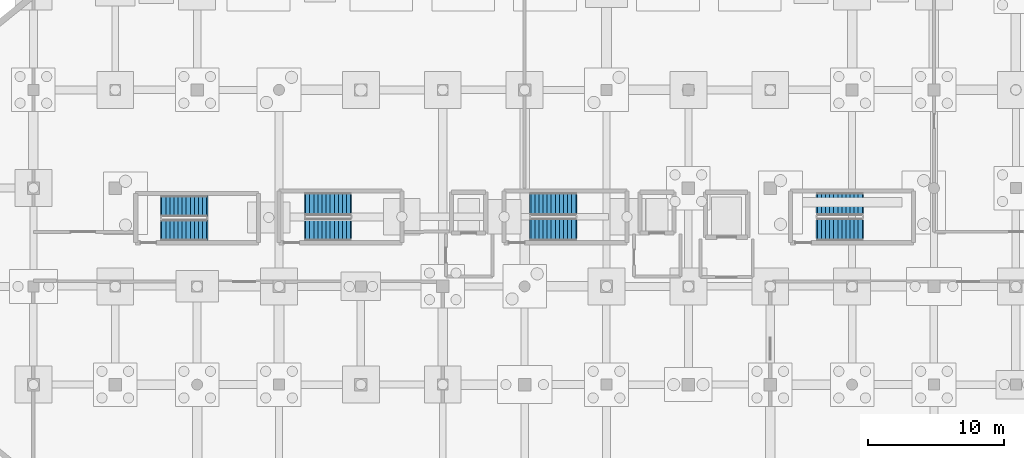
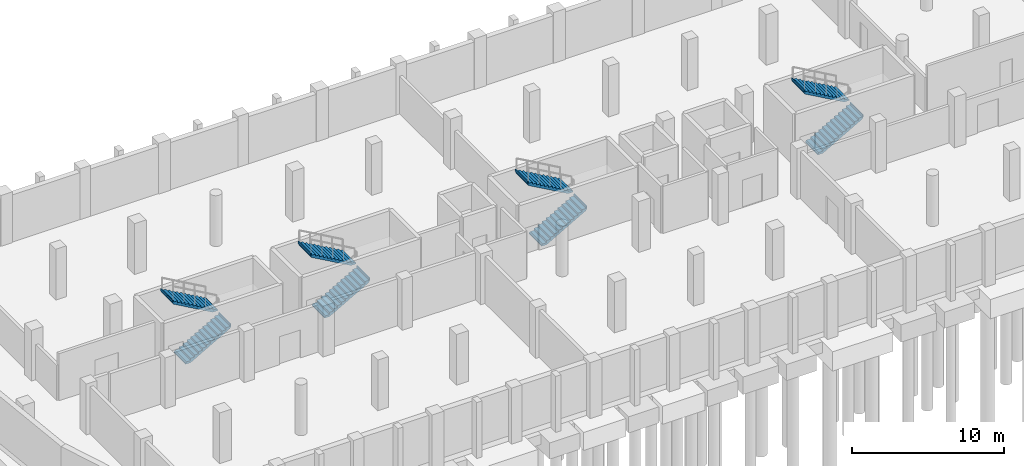
# One storey, part 8 of 11: 8 stair flights, 4 elements without a shape of their own.
"""IFC4 building model written with IfcOpenShell, lengths in metres."""

from ifc_helpers import new_model, si_unit, direction, frame, origin, place, context, subcontext, project, spatial, polyline, outline, extrude, material, type_object, element, aggregate, save


model = new_model("IFC4")

# Units and contexts
model_context = context("Model", 3, precision=1e-05, world=origin(), true_north=direction((0.0, 1.0)))
body_context = subcontext(model_context, "Body", "Model", "MODEL_VIEW")
ifc_project = project(units=[si_unit("LENGTHUNIT", "METRE"), si_unit("AREAUNIT", "SQUARE_METRE"), si_unit("VOLUMEUNIT", "CUBIC_METRE"), si_unit("PLANEANGLEUNIT", "RADIAN"), si_unit("MASSUNIT", "GRAM", prefix="KILO")], contexts=[model_context])

# Site, building, storey
site_placement = place(None, origin())
site = spatial("IfcSite", under=ifc_project, at=site_placement, CompositionType="ELEMENT")
building_placement = place(site_placement, origin())
building = spatial("IfcBuilding", under=site, at=building_placement, Name="Dunvalen Ferry Terminal", CompositionType="ELEMENT")
storey_placement = place(building_placement, frame((0.0, 0.0, -4.080078125)))
storey = spatial("IfcBuildingStorey", under=building, at=storey_placement, Name="B1", CompositionType="ELEMENT", Elevation=-4.080078125)

# Stair, stair flights
ifc_material_1 = material(Name="Concrete C35/45", Category="concrete")
stair_type_1 = type_object("IfcStairType", Name="INT-ST-DLG-03", PredefinedType="HALF_TURN_STAIR", material=ifc_material_1)
stair_1_placement = place(storey_placement, origin())
stair_1 = element("IfcStair", 1, at=stair_1_placement, inside=storey, type_object=stair_type_1, Name="B1 Protected Escape Stair 5", PredefinedType="HALF_TURN_STAIR")
ifc_material_2 = material(Name="Precast concrete C40/50", Category="concrete")
stair_flight_type_1 = type_object("IfcStairFlightType", Name="INT-SFL-STR-03", PredefinedType="STRAIGHT", material=ifc_material_2)
stair_flight_1_placement = place(storey_placement, frame((15.39990234375, 18.52490234375, 0.0), z_axis=(0.0, 0.0, 1.0), x_axis=(1.0, 0.0, 0.0)))
stair_flight_1 = element("IfcStairFlight", 2, at=stair_flight_1_placement, type_object=stair_flight_type_1, Name="ST5 flight 1", NumberOfRisers=12, NumberOfTreads=11, PredefinedType="STRAIGHT", RiserHeight=0.17, TreadLength=0.3, context=body_context, shape_type="SweptSolid", body=[
    extrude(outline(polyline([(-0.080078125, 0.0), (-0.080078125, 0.080078125), (0.0, 0.169921875), (0.300048828125, 0.169921875), (0.300048828125, 0.340087890625), (0.60009765625, 0.340087890625), (0.60009765625, 0.510009765625), (0.89990234375, 0.510009765625), (0.89990234375, 0.679931640625), (1.199951171875, 0.679931640625), (1.199951171875, 0.85009765625), (1.5, 0.85009765625), (1.5, 1.02001953125), (1.800048828125, 1.02001953125), (1.800048828125, 1.18994140625), (2.10009765625, 1.18994140625), (2.10009765625, 1.360107421875), (2.39990234375, 1.360107421875), (2.39990234375, 1.530029296875), (2.699951171875, 1.530029296875), (2.699951171875, 1.699951171875), (3.0, 1.699951171875), (3.0, 1.8701171875), (3.300048828125, 1.8701171875), (3.300048828125, 2.0400390625), (3.380126953125, 2.0400390625), (3.380126953125, 1.880126953125), (3.300048828125, 1.69775390625), (0.303955078125, 0.0), (-0.080078125, 0.0)])), frame((0.0, 0.77490234375, 0.0), z_axis=(0.0, -1.0, 0.0), x_axis=(1.0, 0.0, 0.0)), (0.0, 0.0, 1.0), 1.550048828125),
])
stair_flight_2_placement = place(storey_placement, frame((18.699951171875, 20.27490234375, 2.0400390625), z_axis=(0.0, 0.0, 1.0), x_axis=(-1.0, 0.0, 0.0)))
stair_flight_2 = element("IfcStairFlight", 3, at=stair_flight_2_placement, type_object=stair_flight_type_1, Name="ST5 flight 2", NumberOfRisers=12, NumberOfTreads=11, PredefinedType="STRAIGHT", RiserHeight=0.17, TreadLength=0.3, context=body_context, shape_type="SweptSolid", body=[
    extrude(outline(polyline([(-0.080078125, 0.0), (-0.080078125, 0.080078125), (0.0, 0.169921875), (0.300048828125, 0.169921875), (0.300048828125, 0.340087890625), (0.60009765625, 0.340087890625), (0.60009765625, 0.510009765625), (0.89990234375, 0.510009765625), (0.89990234375, 0.679931640625), (1.199951171875, 0.679931640625), (1.199951171875, 0.85009765625), (1.5, 0.85009765625), (1.5, 1.02001953125), (1.800048828125, 1.02001953125), (1.800048828125, 1.18994140625), (2.10009765625, 1.18994140625), (2.10009765625, 1.360107421875), (2.39990234375, 1.360107421875), (2.39990234375, 1.530029296875), (2.699951171875, 1.530029296875), (2.699951171875, 1.699951171875), (3.0, 1.699951171875), (3.0, 1.8701171875), (3.300048828125, 1.8701171875), (3.300048828125, 2.0400390625), (3.380126953125, 2.0400390625), (3.380126953125, 1.880126953125), (3.300048828125, 1.69775390625), (0.303955078125, 0.0), (-0.080078125, 0.0)])), frame((0.0, 0.77490234375, 0.0), z_axis=(0.0, -1.0, 0.0), x_axis=(1.0, 0.0, 0.0)), (0.0, 0.0, 1.0), 1.550048828125),
])
aggregate(stair_1, [stair_flight_1, stair_flight_2])

stair_type_2 = type_object("IfcStairType", Name="INT-ST-DLG-06", PredefinedType="HALF_TURN_STAIR", material=ifc_material_1)
stair_2_placement = place(storey_placement, origin())
stair_2 = element("IfcStair", 4, at=stair_2_placement, inside=storey, type_object=stair_type_2, Name="B1 Protected Escape Stair 1", PredefinedType="HALF_TURN_STAIR")
stair_flight_type_2 = type_object("IfcStairFlightType", Name="INT-SFL-STR-06", PredefinedType="STRAIGHT", material=ifc_material_2)
stair_flight_3_placement = place(storey_placement, frame((25.949951171875, 18.574951171875, 0.0), z_axis=(0.0, 0.0, 1.0), x_axis=(1.0, 0.0, 0.0)))
stair_flight_3 = element("IfcStairFlight", 5, at=stair_flight_3_placement, type_object=stair_flight_type_2, Name="ST1 flight 1", NumberOfRisers=12, NumberOfTreads=11, PredefinedType="STRAIGHT", RiserHeight=0.17, TreadLength=0.3, context=body_context, shape_type="SweptSolid", body=[
    extrude(outline(polyline([(-0.080078125, 0.0), (-0.080078125, 0.080078125), (0.0, 0.169921875), (0.300048828125, 0.169921875), (0.300048828125, 0.340087890625), (0.60009765625, 0.340087890625), (0.60009765625, 0.510009765625), (0.89990234375, 0.510009765625), (0.89990234375, 0.679931640625), (1.199951171875, 0.679931640625), (1.199951171875, 0.85009765625), (1.5, 0.85009765625), (1.5, 1.02001953125), (1.800048828125, 1.02001953125), (1.800048828125, 1.18994140625), (2.10009765625, 1.18994140625), (2.10009765625, 1.360107421875), (2.39990234375, 1.360107421875), (2.39990234375, 1.530029296875), (2.699951171875, 1.530029296875), (2.699951171875, 1.699951171875), (3.0, 1.699951171875), (3.0, 1.8701171875), (3.300048828125, 1.8701171875), (3.300048828125, 2.0400390625), (3.380126953125, 2.0400390625), (3.380126953125, 1.880126953125), (3.300048828125, 1.69775390625), (0.303955078125, 0.0), (-0.080078125, 0.0)])), frame((0.0, 0.824951171875, 0.0), z_axis=(0.0, -1.0, 0.0), x_axis=(1.0, 0.0, 0.0)), (0.0, 0.0, 1.0), 1.64990234375),
])
stair_flight_4_placement = place(storey_placement, frame((29.25, 20.425048828125, 2.0400390625), z_axis=(0.0, 0.0, 1.0), x_axis=(-1.0, 0.0, 0.0)))
stair_flight_4 = element("IfcStairFlight", 6, at=stair_flight_4_placement, type_object=stair_flight_type_2, Name="ST1 flight 2", NumberOfRisers=12, NumberOfTreads=11, PredefinedType="STRAIGHT", RiserHeight=0.17, TreadLength=0.3, context=body_context, shape_type="SweptSolid", body=[
    extrude(outline(polyline([(-0.080078125, 0.0), (-0.080078125, 0.080078125), (0.0, 0.169921875), (0.300048828125, 0.169921875), (0.300048828125, 0.340087890625), (0.60009765625, 0.340087890625), (0.60009765625, 0.510009765625), (0.89990234375, 0.510009765625), (0.89990234375, 0.679931640625), (1.199951171875, 0.679931640625), (1.199951171875, 0.85009765625), (1.5, 0.85009765625), (1.5, 1.02001953125), (1.800048828125, 1.02001953125), (1.800048828125, 1.18994140625), (2.10009765625, 1.18994140625), (2.10009765625, 1.360107421875), (2.39990234375, 1.360107421875), (2.39990234375, 1.530029296875), (2.699951171875, 1.530029296875), (2.699951171875, 1.699951171875), (3.0, 1.699951171875), (3.0, 1.8701171875), (3.300048828125, 1.8701171875), (3.300048828125, 2.0400390625), (3.380126953125, 2.0400390625), (3.380126953125, 1.880126953125), (3.300048828125, 1.69775390625), (0.303955078125, 0.0), (-0.080078125, 0.0)])), frame((0.0, 0.824951171875, 0.0), z_axis=(0.0, -1.0, 0.0), x_axis=(1.0, 0.0, 0.0)), (0.0, 0.0, 1.0), 1.64990234375),
])
aggregate(stair_2, [stair_flight_3, stair_flight_4])

stair_3_placement = place(storey_placement, origin())
stair_3 = element("IfcStair", 7, at=stair_3_placement, inside=storey, type_object=stair_type_2, Name="B1 Protected Escape Stair 2", PredefinedType="HALF_TURN_STAIR")
stair_flight_5_placement = place(storey_placement, frame((42.449951171875, 18.574951171875, 0.0), z_axis=(0.0, 0.0, 1.0), x_axis=(1.0, 0.0, 0.0)))
stair_flight_5 = element("IfcStairFlight", 8, at=stair_flight_5_placement, type_object=stair_flight_type_2, Name="ST2 flight 1", NumberOfRisers=12, NumberOfTreads=11, PredefinedType="STRAIGHT", RiserHeight=0.17, TreadLength=0.3, context=body_context, shape_type="SweptSolid", body=[
    extrude(outline(polyline([(-0.080078125, 0.0), (-0.080078125, 0.080078125), (0.0, 0.169921875), (0.300048828125, 0.169921875), (0.300048828125, 0.340087890625), (0.60009765625, 0.340087890625), (0.60009765625, 0.510009765625), (0.89990234375, 0.510009765625), (0.89990234375, 0.679931640625), (1.199951171875, 0.679931640625), (1.199951171875, 0.85009765625), (1.5, 0.85009765625), (1.5, 1.02001953125), (1.800048828125, 1.02001953125), (1.800048828125, 1.18994140625), (2.10009765625, 1.18994140625), (2.10009765625, 1.360107421875), (2.39990234375, 1.360107421875), (2.39990234375, 1.530029296875), (2.699951171875, 1.530029296875), (2.699951171875, 1.699951171875), (3.0, 1.699951171875), (3.0, 1.8701171875), (3.300048828125, 1.8701171875), (3.300048828125, 2.0400390625), (3.380126953125, 2.0400390625), (3.380126953125, 1.880126953125), (3.300048828125, 1.69775390625), (0.303955078125, 0.0), (-0.080078125, 0.0)])), frame((0.0, 0.824951171875, 0.0), z_axis=(0.0, -1.0, 0.0), x_axis=(1.0, 0.0, 0.0)), (0.0, 0.0, 1.0), 1.64990234375),
])
stair_flight_6_placement = place(storey_placement, frame((45.75, 20.425048828125, 2.0400390625), z_axis=(0.0, 0.0, 1.0), x_axis=(-1.0, 0.0, 0.0)))
stair_flight_6 = element("IfcStairFlight", 9, at=stair_flight_6_placement, type_object=stair_flight_type_2, Name="ST2 flight 2", NumberOfRisers=12, NumberOfTreads=11, PredefinedType="STRAIGHT", RiserHeight=0.17, TreadLength=0.3, context=body_context, shape_type="SweptSolid", body=[
    extrude(outline(polyline([(-0.080078125, 0.0), (-0.080078125, 0.080078125), (0.0, 0.169921875), (0.300048828125, 0.169921875), (0.300048828125, 0.340087890625), (0.60009765625, 0.340087890625), (0.60009765625, 0.510009765625), (0.89990234375, 0.510009765625), (0.89990234375, 0.679931640625), (1.199951171875, 0.679931640625), (1.199951171875, 0.85009765625), (1.5, 0.85009765625), (1.5, 1.02001953125), (1.800048828125, 1.02001953125), (1.800048828125, 1.18994140625), (2.10009765625, 1.18994140625), (2.10009765625, 1.360107421875), (2.39990234375, 1.360107421875), (2.39990234375, 1.530029296875), (2.699951171875, 1.530029296875), (2.699951171875, 1.699951171875), (3.0, 1.699951171875), (3.0, 1.8701171875), (3.300048828125, 1.8701171875), (3.300048828125, 2.0400390625), (3.380126953125, 2.0400390625), (3.380126953125, 1.880126953125), (3.300048828125, 1.69775390625), (0.303955078125, 0.0), (-0.080078125, 0.0)])), frame((0.0, 0.824951171875, 0.0), z_axis=(0.0, -1.0, 0.0), x_axis=(1.0, 0.0, 0.0)), (0.0, 0.0, 1.0), 1.64990234375),
])
aggregate(stair_3, [stair_flight_5, stair_flight_6])

stair_4_placement = place(storey_placement, origin())
stair_4 = element("IfcStair", 10, at=stair_4_placement, inside=storey, type_object=stair_type_2, Name="B1 Protected Escape Stair 3", PredefinedType="HALF_TURN_STAIR")
stair_flight_7_placement = place(storey_placement, frame((63.449951171875, 18.574951171875, 0.0), z_axis=(0.0, 0.0, 1.0), x_axis=(1.0, 0.0, 0.0)))
stair_flight_7 = element("IfcStairFlight", 11, at=stair_flight_7_placement, type_object=stair_flight_type_2, Name="ST3 flight 1", NumberOfRisers=12, NumberOfTreads=11, PredefinedType="STRAIGHT", RiserHeight=0.17, TreadLength=0.3, context=body_context, shape_type="SweptSolid", body=[
    extrude(outline(polyline([(-0.080078125, 0.0), (-0.080078125, 0.080078125), (0.0, 0.169921875), (0.300048828125, 0.169921875), (0.300048828125, 0.340087890625), (0.60009765625, 0.340087890625), (0.60009765625, 0.510009765625), (0.89990234375, 0.510009765625), (0.89990234375, 0.679931640625), (1.199951171875, 0.679931640625), (1.199951171875, 0.85009765625), (1.5, 0.85009765625), (1.5, 1.02001953125), (1.800048828125, 1.02001953125), (1.800048828125, 1.18994140625), (2.10009765625, 1.18994140625), (2.10009765625, 1.360107421875), (2.39990234375, 1.360107421875), (2.39990234375, 1.530029296875), (2.699951171875, 1.530029296875), (2.699951171875, 1.699951171875), (3.0, 1.699951171875), (3.0, 1.8701171875), (3.300048828125, 1.8701171875), (3.300048828125, 2.0400390625), (3.380126953125, 2.0400390625), (3.380126953125, 1.880126953125), (3.300048828125, 1.69775390625), (0.303955078125, 0.0), (-0.080078125, 0.0)])), frame((0.0, 0.824951171875, 0.0), z_axis=(0.0, -1.0, 0.0), x_axis=(1.0, 0.0, 0.0)), (0.0, 0.0, 1.0), 1.64990234375),
])
stair_flight_8_placement = place(storey_placement, frame((66.75, 20.425048828125, 2.0400390625), z_axis=(0.0, 0.0, 1.0), x_axis=(-1.0, 0.0, 0.0)))
stair_flight_8 = element("IfcStairFlight", 12, at=stair_flight_8_placement, type_object=stair_flight_type_2, Name="ST3 flight 2", NumberOfRisers=12, NumberOfTreads=11, PredefinedType="STRAIGHT", RiserHeight=0.17, TreadLength=0.3, context=body_context, shape_type="SweptSolid", body=[
    extrude(outline(polyline([(-0.080078125, 0.0), (-0.080078125, 0.080078125), (0.0, 0.169921875), (0.300048828125, 0.169921875), (0.300048828125, 0.340087890625), (0.60009765625, 0.340087890625), (0.60009765625, 0.510009765625), (0.89990234375, 0.510009765625), (0.89990234375, 0.679931640625), (1.199951171875, 0.679931640625), (1.199951171875, 0.85009765625), (1.5, 0.85009765625), (1.5, 1.02001953125), (1.800048828125, 1.02001953125), (1.800048828125, 1.18994140625), (2.10009765625, 1.18994140625), (2.10009765625, 1.360107421875), (2.39990234375, 1.360107421875), (2.39990234375, 1.530029296875), (2.699951171875, 1.530029296875), (2.699951171875, 1.699951171875), (3.0, 1.699951171875), (3.0, 1.8701171875), (3.300048828125, 1.8701171875), (3.300048828125, 2.0400390625), (3.380126953125, 2.0400390625), (3.380126953125, 1.880126953125), (3.300048828125, 1.69775390625), (0.303955078125, 0.0), (-0.080078125, 0.0)])), frame((0.0, 0.824951171875, 0.0), z_axis=(0.0, -1.0, 0.0), x_axis=(1.0, 0.0, 0.0)), (0.0, 0.0, 1.0), 1.64990234375),
])
aggregate(stair_4, [stair_flight_7, stair_flight_8])

save(model, "model.ifc")
